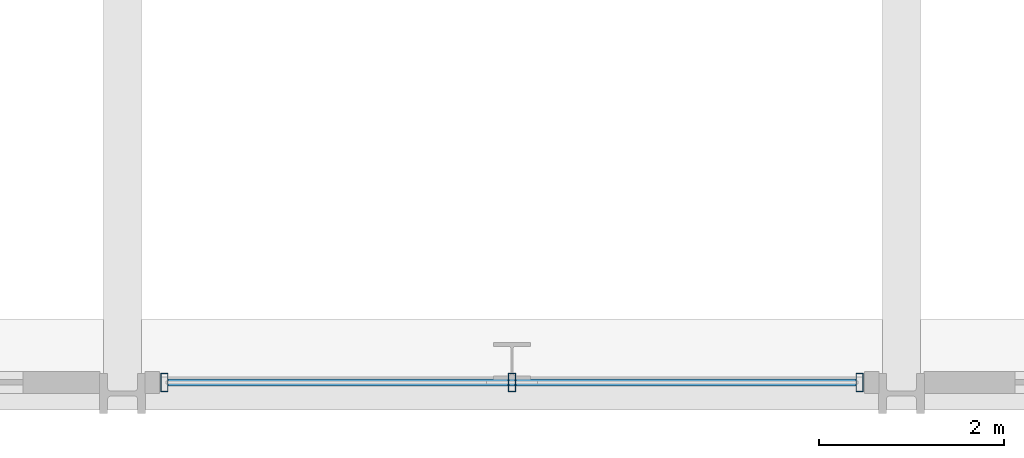
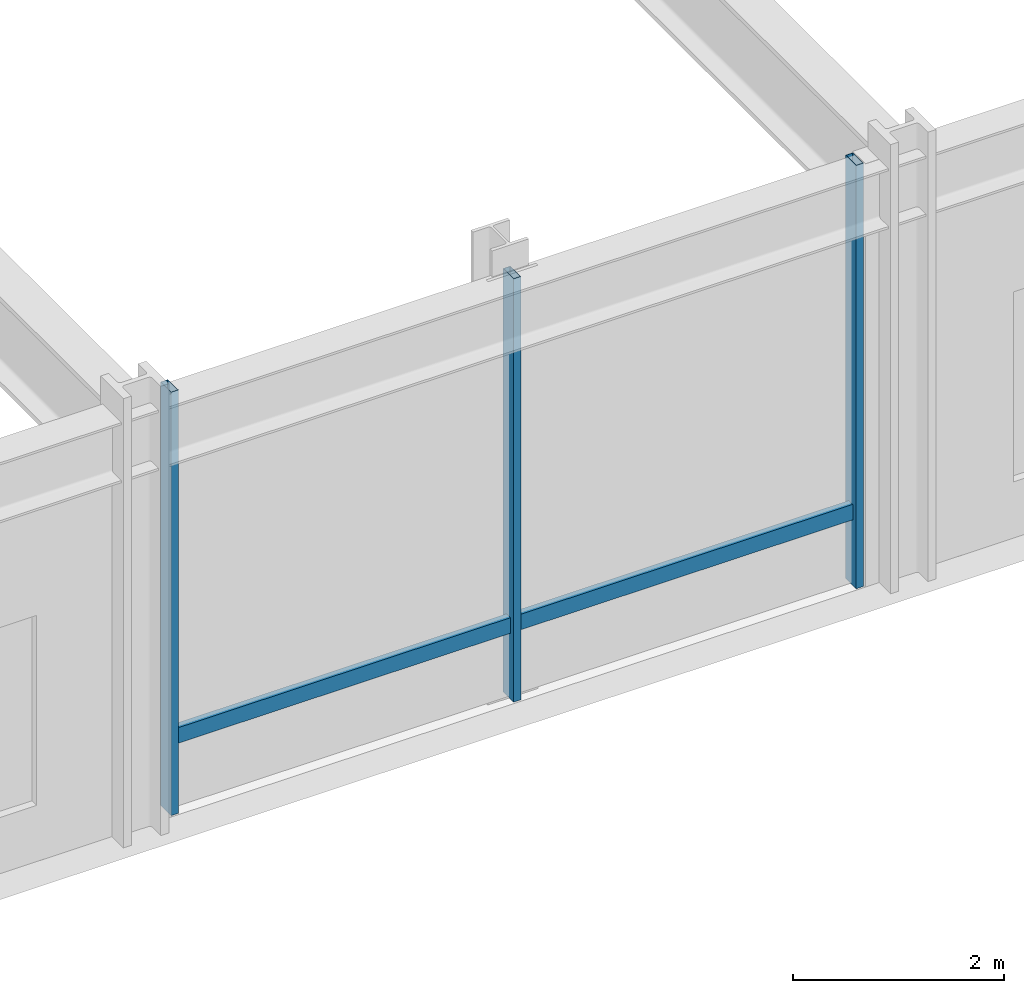
# One storey, part 3 of 19: 4 members, 1 element without a shape of its own.
"""IFC4 building model written with IfcOpenShell, lengths in metres."""

from ifc_helpers import new_model, si_unit, direction, frame, origin, origin_2d, place, context, subcontext, project, spatial, hollow_rectangle, extrude, material, layer, layer_set, material_profile, profile_set, type_object, element, aggregate, save


model = new_model("IFC4")

# Units and contexts
model_context = context("Model", 3, precision=1e-05, world=origin(), true_north=direction((0.0, 1.0)))
body_context = subcontext(model_context, "Body", "Model", "MODEL_VIEW")
ifc_project = project(units=[si_unit("LENGTHUNIT", "METRE"), si_unit("AREAUNIT", "SQUARE_METRE"), si_unit("VOLUMEUNIT", "CUBIC_METRE"), si_unit("PLANEANGLEUNIT", "RADIAN"), si_unit("MASSUNIT", "GRAM", prefix="KILO")], contexts=[model_context])

# Site, building, storey
site_placement = place(None, origin())
site = spatial("IfcSite", under=ifc_project, at=site_placement, CompositionType="ELEMENT")
building_placement = place(site_placement, origin())
building = spatial("IfcBuilding", under=site, at=building_placement, Name="Drelvath Grand Hotel", CompositionType="ELEMENT")
storey_placement = place(building_placement, frame((0.0, 0.0, 17.199951171875)))
storey = spatial("IfcBuildingStorey", under=building, at=storey_placement, Name="L03", CompositionType="ELEMENT", Elevation=17.199951171875)

# Curtain wall, members
ifc_material = material(Name="Dark Bronze Anodised Aluminium Frame", Category="aluminium")
ifc_layer = layer(ifc_material, 0.199951171875)
ifc_layer_set = layer_set([ifc_layer], Name="Dark Bronze Anodised Aluminium Frame")
curtain_wall_type = type_object("IfcCurtainWallType", Name="Stick Curtain Wall CW-01 Dark Bronze Podium", PredefinedType="NOTDEFINED", material=ifc_layer_set)
curtain_wall_placement = place(storey_placement, origin())
curtain_wall = element("IfcCurtainWall", 1, at=curtain_wall_placement, inside=storey, type_object=curtain_wall_type, Name="L03 CW-01 Curtain Wall CW01-L03-SC1", PredefinedType="NOTDEFINED")
ifc_material_profile_1 = material_profile(ifc_material, hollow_rectangle(XDim=0.074951171875, YDim=0.179931640625, WallThickness=0.0048828125, at=origin_2d()), Name="HSS180X75X5")
ifc_profile_set_1 = profile_set([ifc_material_profile_1], Name="Dark Bronze Anodised Aluminium Frame")
member_type_1 = type_object("IfcMemberType", Name="Curtain Wall Horizontal Transom CW-01 HSS180X75X5", PredefinedType="USERDEFINED", material=ifc_profile_set_1)
member_1_placement = place(storey_placement, frame((-0.489990234375, 0.1201171875, 0.85009765625), z_axis=(-1.0, 0.0, 0.0), x_axis=(0.0, -1.0, 0.0)))
member_1 = element("IfcMember", 2, at=member_1_placement, type_object=member_type_1, Name="CW01-L03-SC1 Sill Transom", ObjectType="TRANSOM", PredefinedType="USERDEFINED", context=body_context, shape_type="SweptSolid", body=[
    extrude(hollow_rectangle(XDim=0.074951171875, YDim=0.179931640625, WallThickness=0.0048828125, at=origin_2d()), origin(), (0.0, 0.0, 1.0), 7.419921875),
])
ifc_material_profile_2 = material_profile(ifc_material, hollow_rectangle(XDim=0.080078125, YDim=0.199951171875, WallThickness=0.0048828125, at=origin_2d()), Name="HSS200X80X5")
ifc_profile_set_2 = profile_set([ifc_material_profile_2], Name="Dark Bronze Anodised Aluminium Frame")
member_type_2 = type_object("IfcMemberType", Name="Curtain Wall Vertical Mullion CW-01 HSS200X80X5", PredefinedType="MULLION", material=ifc_profile_set_2)
member_2_placement = place(storey_placement, frame((-0.449951171875, 0.1201171875, 0.0), z_axis=(0.0, 0.0, 1.0), x_axis=(1.0, 0.0, 0.0)))
member_2 = element("IfcMember", 3, at=member_2_placement, type_object=member_type_2, Name="CW01-L03-SC1 Mullion 1", PredefinedType="MULLION", context=body_context, shape_type="SweptSolid", body=[
    extrude(hollow_rectangle(XDim=0.080078125, YDim=0.199951171875, WallThickness=0.0048828125, at=origin_2d()), origin(), (0.0, 0.0, 1.0), 4.900146484375),
])
member_3_placement = place(storey_placement, frame((-4.199951171875, 0.1201171875, 0.0), z_axis=(0.0, 0.0, 1.0), x_axis=(1.0, 0.0, 0.0)))
member_3 = element("IfcMember", 4, at=member_3_placement, type_object=member_type_2, Name="CW01-L03-SC1 Mullion 2", PredefinedType="MULLION", context=body_context, shape_type="SweptSolid", body=[
    extrude(hollow_rectangle(XDim=0.080078125, YDim=0.199951171875, WallThickness=0.0048828125, at=origin_2d()), origin(), (0.0, 0.0, 1.0), 4.900146484375),
])
member_4_placement = place(storey_placement, frame((-7.949951171875, 0.1201171875, 0.0), z_axis=(0.0, 0.0, 1.0), x_axis=(1.0, 0.0, 0.0)))
member_4 = element("IfcMember", 5, at=member_4_placement, type_object=member_type_2, Name="CW01-L03-SC1 Mullion 3", PredefinedType="MULLION", context=body_context, shape_type="SweptSolid", body=[
    extrude(hollow_rectangle(XDim=0.080078125, YDim=0.199951171875, WallThickness=0.0048828125, at=origin_2d()), origin(), (0.0, 0.0, 1.0), 4.900146484375),
])
aggregate(curtain_wall, [member_2, member_3, member_4, member_1])

save(model, "model.ifc")
